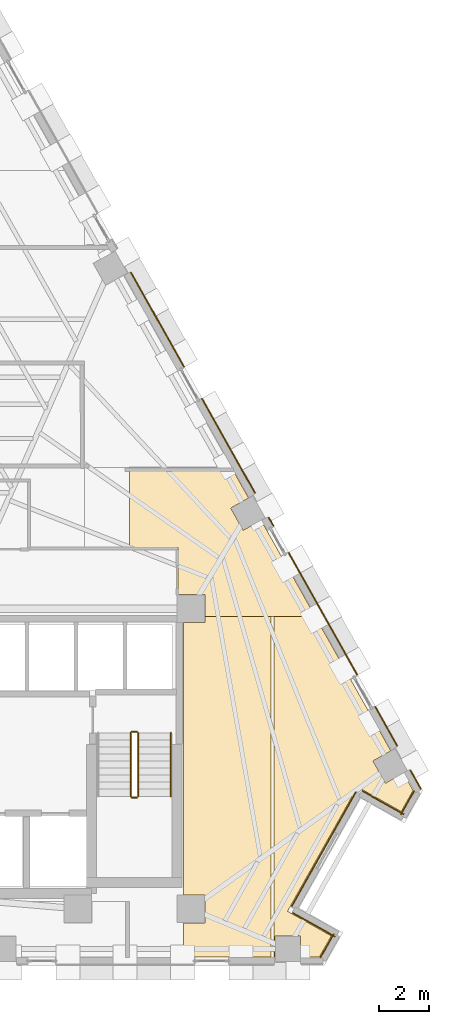
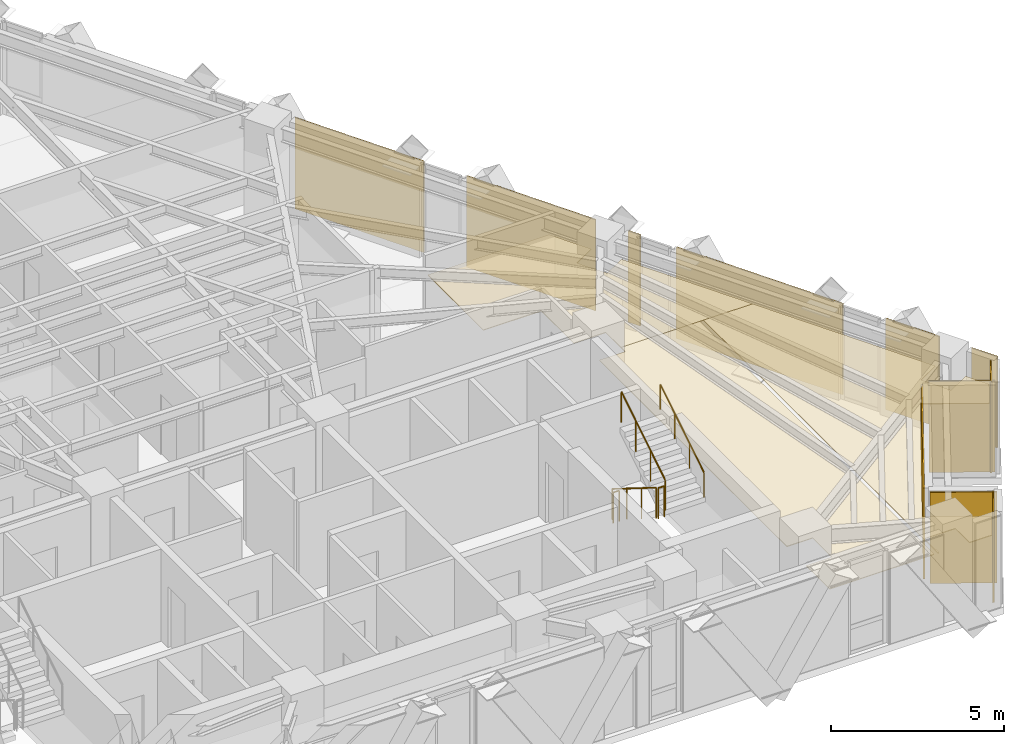
# One storey, part 13 of 14: 14 coverings, 5 railings.
"""IFC4 building model written with IfcOpenShell, lengths in metres."""

from ifc_helpers import new_model, si_unit, direction, frame, origin, origin_2d, place, context, subcontext, project, spatial, polyline, circle, outline, extrude, material, layer, layer_set, type_object, element, save


model = new_model("IFC4")

# Units and contexts
model_context = context("Model", 3, precision=1e-05, world=origin(), true_north=direction((0.0, 1.0)))
body_context = subcontext(model_context, "Body", "Model", "MODEL_VIEW")
ifc_project = project(units=[si_unit("LENGTHUNIT", "METRE"), si_unit("AREAUNIT", "SQUARE_METRE"), si_unit("VOLUMEUNIT", "CUBIC_METRE"), si_unit("PLANEANGLEUNIT", "RADIAN"), si_unit("MASSUNIT", "GRAM", prefix="KILO")], contexts=[model_context])

# Site, building, storey
site_placement = place(None, origin())
site = spatial("IfcSite", under=ifc_project, at=site_placement, CompositionType="ELEMENT")
building_placement = place(site_placement, origin())
building = spatial("IfcBuilding", under=site, at=building_placement, Name="Quenlor Broadcast Tower", CompositionType="ELEMENT")
storey_placement = place(building_placement, frame((0.0, 0.0, 140.5)))
storey = spatial("IfcBuildingStorey", under=building, at=storey_placement, Name="L38", CompositionType="ELEMENT", Elevation=140.5)

# Coverings
ifc_material_1 = material(Name="Acoustic Mineral Fibre Board", Category="other")
ifc_layer_1 = layer(ifc_material_1, 0.02490234375)
ifc_layer_set_1 = layer_set([ifc_layer_1], Name="Acoustic Perforated Mineral Tile Ceiling 25")
covering_type_1 = type_object("IfcCoveringType", Name="Acoustic Perforated Mineral Tile Ceiling 25", PredefinedType="CEILING", material=ifc_layer_set_1)
covering_1_placement = place(storey_placement, frame((0.0, 0.0, 2.375)))
element("IfcCovering", 1, at=covering_1_placement, inside=storey, type_object=covering_type_1, Name="L38 Acoustic Ceiling L38-37", PredefinedType="CEILING", context=body_context, shape_type="SweptSolid", body=[
    extrude(outline(polyline([(13.508056640625, -4.241943359375), (12.43994140625, -4.241943359375), (12.43994140625, -2.3701171875), (10.50537109375, -2.3701171875), (10.50537109375, 0.840087890625), (14.5498046875, 0.840087890625), (15.2451171875, -0.39599609375), (14.5322265625, -0.797119140625), (15.0302734375, -1.6826171875), (15.7431640625, -1.281494140625), (17.90234375, -5.1201171875), (16.260009765625, -5.1201171875), (16.139892578125, -5.1201171875), (13.508056640625, -5.1201171875), (13.508056640625, -4.241943359375)])), origin(), (0.0, 0.0, 1.0), 0.02490234375),
])
covering_2_placement = place(storey_placement, frame((0.0, 0.0, 2.375)))
element("IfcCovering", 2, at=covering_2_placement, inside=storey, type_object=covering_type_1, Name="L38 Acoustic Ceiling L38-37-2", PredefinedType="CEILING", context=body_context, shape_type="SweptSolid", body=[
    extrude(outline(polyline([(13.508056640625, -5.1201171875), (16.139892578125, -5.1201171875), (16.139892578125, -18.659912109375), (12.64990234375, -18.659912109375), (12.64990234375, -17.30810546875), (13.508056640625, -17.30810546875), (13.508056640625, -16.19189453125), (12.64990234375, -16.19189453125), (12.64990234375, -5.35791015625), (13.508056640625, -5.35791015625), (13.508056640625, -5.1201171875)])), origin(), (0.0, 0.0, 1.0), 0.02490234375),
])
covering_3_placement = place(storey_placement, frame((0.0, 0.0, 2.375)))
element("IfcCovering", 3, at=covering_3_placement, inside=storey, type_object=covering_type_1, Name="L38 Acoustic Ceiling L38-37-3", PredefinedType="CEILING", context=body_context, shape_type="SweptSolid", body=[
    extrude(outline(polyline([(20.90869140625, -10.46484375), (20.19580078125, -10.86572265625), (20.694091796875, -11.751220703125), (21.406982421875, -11.350341796875), (21.794921875, -12.0400390625), (21.323486328125, -12.878173828125), (19.580322265625, -11.8974609375), (16.795654296875, -16.847900390625), (18.538818359375, -17.82861328125), (18.071044921875, -18.659912109375), (17.31640625, -18.659912109375), (17.31640625, -17.842041015625), (16.30029296875, -17.842041015625), (16.30029296875, -18.659912109375), (16.260009765625, -18.659912109375), (16.260009765625, -5.1201171875), (17.90234375, -5.1201171875), (20.90869140625, -10.46484375)])), origin(), (0.0, 0.0, 1.0), 0.02490234375),
])
ifc_material_2 = material(Name="Architectural Terracotta Ceramic", Category="masonry")
ifc_layer_2 = layer(ifc_material_2, 0.044921875)
ifc_layer_set_2 = layer_set([ifc_layer_2], Name="Fluted Terracotta Rainscreen Cladding Panel")
covering_type_2 = type_object("IfcCoveringType", Name="Fluted Terracotta Rainscreen Cladding Panel", PredefinedType="CLADDING", material=ifc_layer_set_2)
covering_4_placement = place(storey_placement, frame((0.0, 0.0, 0.02001953125)))
element("IfcCovering", 4, at=covering_4_placement, inside=storey, type_object=covering_type_2, Name="L38 Terracotta Rainscreen Cladding L38-SHD-NES1", PredefinedType="CLADDING", context=body_context, shape_type="SweptSolid", body=[
    extrude(outline(polyline([(21.66162109375, -11.23779296875), (22.0859375, -11.992431640625), (22.125244140625, -11.970458984375), (21.70068359375, -11.2158203125), (21.66162109375, -11.23779296875)])), origin(), (0.0, 0.0, 1.0), 3.2099609375),
])
covering_5_placement = place(storey_placement, frame((0.0, 0.0, 0.02001953125)))
element("IfcCovering", 5, at=covering_5_placement, inside=storey, type_object=covering_type_2, Name="L38 Terracotta Rainscreen Cladding L38-NEC-SP1", PredefinedType="CLADDING", context=body_context, shape_type="SweptSolid", body=[
    extrude(outline(polyline([(16.025146484375, -1.1767578125), (16.22119140625, -1.525390625), (16.260498046875, -1.50341796875), (16.064453125, -1.15478515625), (16.025146484375, -1.1767578125)])), origin(), (0.0, 0.0, 1.0), 3.2099609375),
])
covering_6_placement = place(storey_placement, frame((0.0, 0.0, 0.02001953125)))
element("IfcCovering", 6, at=covering_6_placement, inside=storey, type_object=covering_type_2, Name="L38 Terracotta Rainscreen Cladding L38-NEC-SP2", PredefinedType="CLADDING", context=body_context, shape_type="SweptSolid", body=[
    extrude(outline(polyline([(16.81591796875, -2.582763671875), (19.55322265625, -7.44921875), (19.592529296875, -7.42724609375), (16.855224609375, -2.560791015625), (16.81591796875, -2.582763671875)])), origin(), (0.0, 0.0, 1.0), 3.2099609375),
])
covering_7_placement = place(storey_placement, frame((0.0, 0.0, 0.02001953125)))
element("IfcCovering", 7, at=covering_7_placement, inside=storey, type_object=covering_type_2, Name="L38 Terracotta Rainscreen Cladding L38-NEC-SP3", PredefinedType="CLADDING", context=body_context, shape_type="SweptSolid", body=[
    extrude(outline(polyline([(20.26416015625, -8.712646484375), (21.14453125, -10.278076171875), (21.183837890625, -10.256103515625), (20.30322265625, -8.690673828125), (20.26416015625, -8.712646484375)])), origin(), (0.0, 0.0, 1.0), 3.2099609375),
])
covering_8_placement = place(storey_placement, frame((0.0, 0.0, 0.02001953125)))
element("IfcCovering", 8, at=covering_8_placement, inside=storey, type_object=covering_type_2, Name="L38 Terracotta Rainscreen Cladding L38-NE-SP1", PredefinedType="CLADDING", context=body_context, shape_type="SweptSolid", body=[
    extrude(outline(polyline([(10.541748046875, 8.571533203125), (12.656982421875, 4.810791015625), (12.6962890625, 4.832763671875), (10.580810546875, 8.593505859375), (10.541748046875, 8.571533203125)])), origin(), (0.0, 0.0, 1.0), 3.2099609375),
])
covering_9_placement = place(storey_placement, frame((0.0, 0.0, 0.02001953125)))
element("IfcCovering", 9, at=covering_9_placement, inside=storey, type_object=covering_type_2, Name="L38 Terracotta Rainscreen Cladding L38-NE-SP2", PredefinedType="CLADDING", context=body_context, shape_type="SweptSolid", body=[
    extrude(outline(polyline([(13.367919921875, 3.547119140625), (15.4833984375, -0.213623046875), (15.522705078125, -0.191650390625), (13.4072265625, 3.569091796875), (13.367919921875, 3.547119140625)])), origin(), (0.0, 0.0, 1.0), 3.2099609375),
])
covering_10_placement = place(storey_placement, frame((0.0, 0.0, 0.02001953125)))
element("IfcCovering", 10, at=covering_10_placement, inside=storey, type_object=covering_type_2, Name="L38 Terracotta Rainscreen Cladding L38-CNR-01", PredefinedType="CLADDING", context=body_context, shape_type="SweptSolid", body=[
    extrude(outline(polyline([(18.702880859375, -17.8427734375), (17.011962890625, -16.8916015625), (16.989990234375, -16.930908203125), (18.680908203125, -17.882080078125), (18.702880859375, -17.8427734375)])), origin(), (0.0, 0.0, 1.0), 3.2099609375),
])
covering_11_placement = place(storey_placement, frame((0.0, 0.0, 0.02001953125)))
element("IfcCovering", 11, at=covering_11_placement, inside=storey, type_object=covering_type_2, Name="L38 Terracotta Rainscreen Cladding L38-CNR-02", PredefinedType="CLADDING", context=body_context, shape_type="SweptSolid", body=[
    extrude(outline(polyline([(16.9775390625, -16.663330078125), (19.53662109375, -12.11376953125), (19.49755859375, -12.091796875), (16.938232421875, -16.641357421875), (16.9775390625, -16.663330078125)])), origin(), (0.0, 0.0, 1.0), 3.2099609375),
])
covering_12_placement = place(storey_placement, frame((0.0, 0.0, 0.02001953125)))
element("IfcCovering", 12, at=covering_12_placement, inside=storey, type_object=covering_type_2, Name="L38 Terracotta Rainscreen Cladding L38-CNR-03", PredefinedType="CLADDING", context=body_context, shape_type="SweptSolid", body=[
    extrude(outline(polyline([(19.764892578125, -12.079345703125), (21.4208984375, -13.010986328125), (21.443115234375, -12.9716796875), (19.787109375, -12.0400390625), (19.764892578125, -12.079345703125)])), origin(), (0.0, 0.0, 1.0), 3.2099609375),
])
covering_13_placement = place(storey_placement, frame((0.0, 0.0, 0.02001953125)))
element("IfcCovering", 13, at=covering_13_placement, inside=storey, type_object=covering_type_2, Name="L38 Terracotta Rainscreen Cladding L38-CNR-04", PredefinedType="CLADDING", context=body_context, shape_type="SweptSolid", body=[
    extrude(outline(polyline([(21.328857421875, -13.007080078125), (21.859619140625, -12.0634765625), (21.820556640625, -12.04150390625), (21.289794921875, -12.985107421875), (21.328857421875, -13.007080078125)])), origin(), (0.0, 0.0, 1.0), 3.2099609375),
])
covering_14_placement = place(storey_placement, frame((0.0, 0.0, 0.02001953125)))
element("IfcCovering", 14, at=covering_14_placement, inside=storey, type_object=covering_type_2, Name="L38 Terracotta Rainscreen Cladding L38-CNR-18", PredefinedType="CLADDING", context=body_context, shape_type="SweptSolid", body=[
    extrude(outline(polyline([(18.122802734375, -18.70654296875), (18.652099609375, -17.76611328125), (18.61279296875, -17.743896484375), (18.083740234375, -18.6845703125), (18.122802734375, -18.70654296875)])), origin(), (0.0, 0.0, 1.0), 3.2099609375),
])

# Railings
ifc_material_3 = material(Name="Anodised Aluminium", Category="aluminium")
railing_type_1 = type_object("IfcRailingType", Name="Stainless Aluminium Wall Handrail 900", PredefinedType="HANDRAIL", material=ifc_material_3)
railing_1_placement = place(storey_placement, frame((12.14990234375, -12.27001953125, 1.925048828125)))
element("IfcRailing", 15, at=railing_1_placement, inside=storey, type_object=railing_type_1, Name="L38 ST-2 stair handrail 2", PredefinedType="HANDRAIL", context=body_context, shape_type="SweptSolid", body=[
    extrude(circle(Radius=0.02392578125, at=origin_2d()), frame((0.0, 0.0, 0.8759765625), z_axis=(0.0, 0.848007534815, 0.529984170421), x_axis=(-1.0, 0.0, 0.0)), (0.0, 0.0, 1.0), 2.9716796875),
    extrude(circle(Radius=0.02099609375, at=origin_2d()), origin(), (0.0, 0.0, 1.0), 0.851806640625),
    extrude(circle(Radius=0.02099609375, at=origin_2d()), frame((0.0, 0.840087890625, 0.52490234375)), (0.0, 0.0, 1.0), 0.851806640625),
    extrude(circle(Radius=0.02099609375, at=origin_2d()), frame((0.0, 1.679931640625, 1.050048828125)), (0.0, 0.0, 1.0), 0.851806640625),
    extrude(circle(Radius=0.02099609375, at=origin_2d()), frame((0.0, 2.52001953125, 1.574951171875)), (0.0, 0.0, 1.0), 0.851806640625),
])
ifc_material_4 = material(Name="Steel S355", Category="steel")
railing_type_2 = type_object("IfcRailingType", Name="Tubular Steel S355 Stair Guardrail 1100", PredefinedType="BALUSTRADE", material=ifc_material_4)
railing_2_placement = place(storey_placement, frame((10.550048828125, -9.75, 0.175048828125)))
element("IfcRailing", 16, at=railing_2_placement, inside=storey, type_object=railing_type_2, Name="L38 ST-2 stair guard 1", PredefinedType="BALUSTRADE", context=body_context, shape_type="SweptSolid", body=[
    extrude(circle(Radius=0.02392578125, at=origin_2d()), frame((0.0, 0.0, 1.076171875), z_axis=(0.0, -0.848007534815, 0.529984170421), x_axis=(1.0, 0.0, 0.0)), (0.0, 0.0, 1.0), 2.9716796875),
    extrude(circle(Radius=0.02099609375, at=origin_2d()), origin(), (0.0, 0.0, 1.0), 1.052001953125),
    extrude(circle(Radius=0.02099609375, at=origin_2d()), frame((0.0, -0.840087890625, 0.52490234375)), (0.0, 0.0, 1.0), 1.052001953125),
    extrude(circle(Radius=0.02099609375, at=origin_2d()), frame((0.0, -1.679931640625, 1.050048828125)), (0.0, 0.0, 1.0), 1.052001953125),
    extrude(circle(Radius=0.02099609375, at=origin_2d()), frame((0.0, -2.52001953125, 1.574951171875)), (0.0, 0.0, 1.0), 1.052001953125),
])
railing_3_placement = place(storey_placement, frame((10.60009765625, -12.320068359375, 1.75)))
element("IfcRailing", 17, at=railing_3_placement, inside=storey, type_object=railing_type_2, Name="L38 ST-2 stair guard 2", PredefinedType="BALUSTRADE", context=body_context, shape_type="SweptSolid", body=[
    extrude(circle(Radius=0.02392578125, at=origin_2d()), frame((0.0, 0.0, 1.076171875), z_axis=(1.0, 0.0, 0.0), x_axis=(0.0, 1.0, 0.0)), (0.0, 0.0, 1.0), 0.199951171875),
    extrude(circle(Radius=0.02099609375, at=origin_2d()), origin(), (0.0, 0.0, 1.0), 1.052001953125),
    extrude(circle(Radius=0.02099609375, at=origin_2d()), frame((0.199951171875, 0.0, 0.0)), (0.0, 0.0, 1.0), 1.052001953125),
])
railing_4_placement = place(storey_placement, frame((10.85009765625, -12.27001953125, 1.925048828125)))
element("IfcRailing", 18, at=railing_4_placement, inside=storey, type_object=railing_type_2, Name="L38 ST-2 stair guard 3", PredefinedType="BALUSTRADE", context=body_context, shape_type="SweptSolid", body=[
    extrude(circle(Radius=0.02392578125, at=origin_2d()), frame((0.0, 0.0, 1.076171875), z_axis=(0.0, 0.848007534815, 0.529984170421), x_axis=(-1.0, 0.0, 0.0)), (0.0, 0.0, 1.0), 2.9716796875),
    extrude(circle(Radius=0.02099609375, at=origin_2d()), origin(), (0.0, 0.0, 1.0), 1.052001953125),
    extrude(circle(Radius=0.02099609375, at=origin_2d()), frame((0.0, 0.840087890625, 0.52490234375)), (0.0, 0.0, 1.0), 1.052001953125),
    extrude(circle(Radius=0.02099609375, at=origin_2d()), frame((0.0, 1.679931640625, 1.050048828125)), (0.0, 0.0, 1.0), 1.052001953125),
    extrude(circle(Radius=0.02099609375, at=origin_2d()), frame((0.0, 2.52001953125, 1.574951171875)), (0.0, 0.0, 1.0), 1.052001953125),
])
railing_5_placement = place(storey_placement, frame((10.60009765625, -9.699951171875, 0.0)))
element("IfcRailing", 19, at=railing_5_placement, inside=storey, type_object=railing_type_2, Name="L38 ST-2 stair guard 4", PredefinedType="BALUSTRADE", context=body_context, shape_type="SweptSolid", body=[
    extrude(circle(Radius=0.02392578125, at=origin_2d()), frame((0.0, 0.0, 1.076171875), z_axis=(1.0, 0.0, 0.0), x_axis=(0.0, 1.0, 0.0)), (0.0, 0.0, 1.0), 0.199951171875),
    extrude(circle(Radius=0.02099609375, at=origin_2d()), origin(), (0.0, 0.0, 1.0), 1.052001953125),
    extrude(circle(Radius=0.02099609375, at=origin_2d()), frame((0.199951171875, 0.0, 0.0)), (0.0, 0.0, 1.0), 1.052001953125),
])

save(model, "model.ifc")
